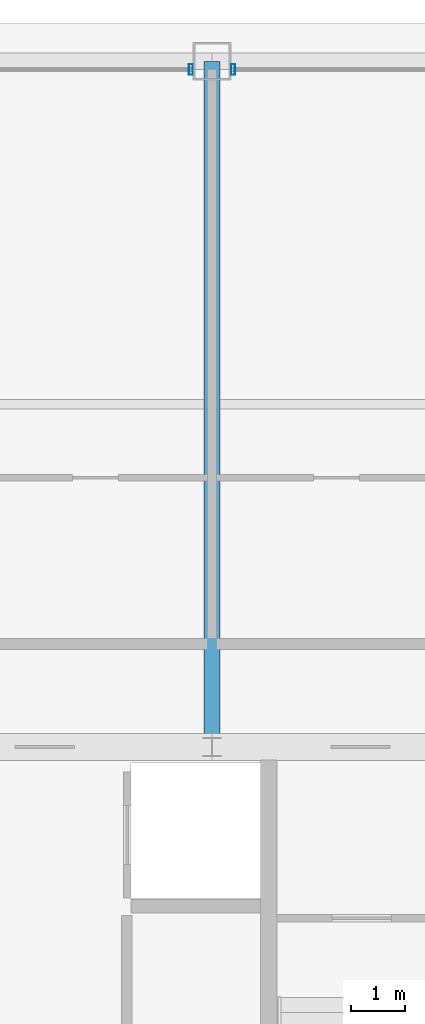
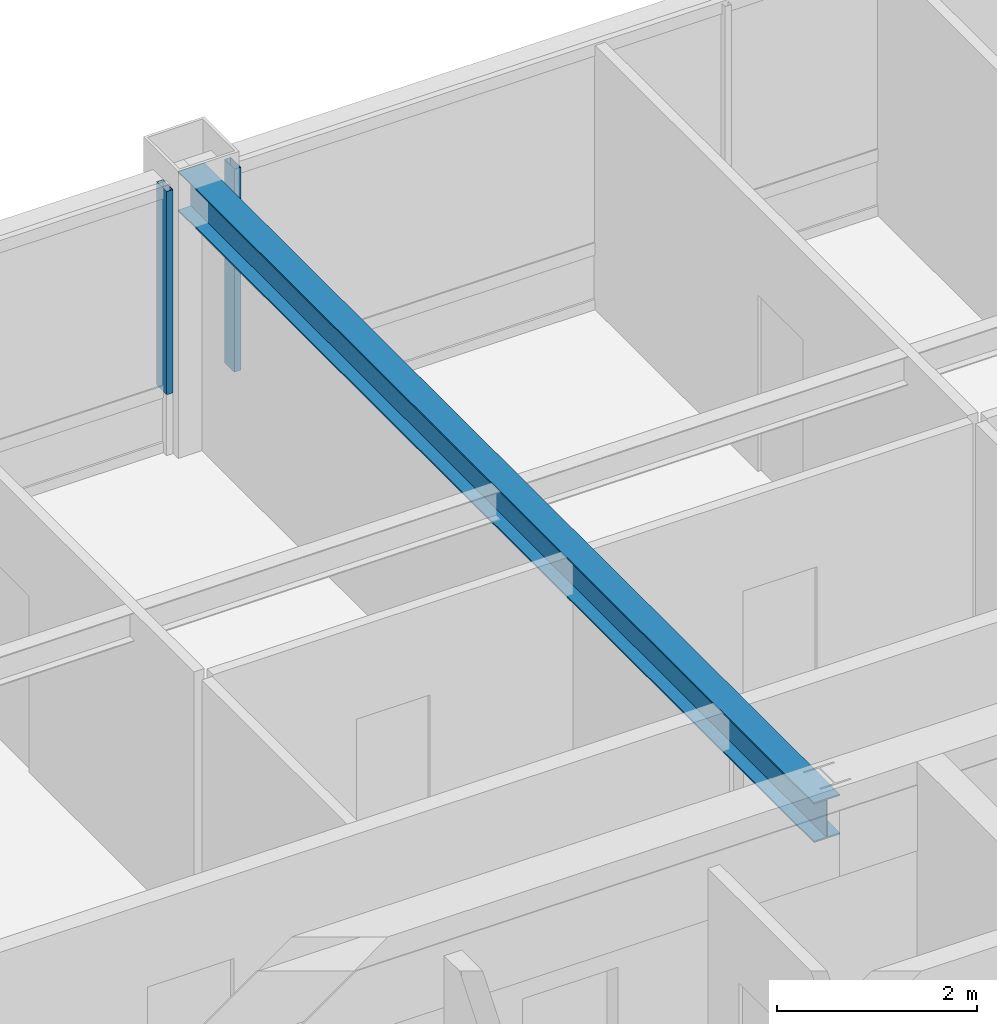
# One storey, part 18 of 35: 2 members, 1 beam, 2 elements without a shape of their own.
"""IFC4 building model written with IfcOpenShell, lengths in metres."""

from ifc_helpers import new_model, si_unit, direction, frame, origin, origin_2d, place, context, subcontext, project, spatial, hollow_rectangle, i_section, extrude, source, transform, mapped, material, layer, layer_set, material_profile, profile_set, type_object, element, aggregate, save


model = new_model("IFC4")

# Units and contexts
model_context = context("Model", 3, precision=1e-05, world=origin(), true_north=direction((0.0, 1.0)))
body_context = subcontext(model_context, "Body", "Model", "MODEL_VIEW")
ifc_project = project(units=[si_unit("LENGTHUNIT", "METRE"), si_unit("AREAUNIT", "SQUARE_METRE"), si_unit("VOLUMEUNIT", "CUBIC_METRE"), si_unit("PLANEANGLEUNIT", "RADIAN"), si_unit("MASSUNIT", "GRAM", prefix="KILO"), si_unit("THERMODYNAMICTEMPERATUREUNIT", "KELVIN"), si_unit("POWERUNIT", "WATT")], contexts=[model_context])

# Site, building, storey
site_placement = place(None, origin())
site = spatial("IfcSite", under=ifc_project, at=site_placement, CompositionType="ELEMENT")
building_placement = place(site_placement, origin())
building = spatial("IfcBuilding", under=site, at=building_placement, Name="Yuzanri Waterfront Tower", CompositionType="ELEMENT")
storey_placement = place(building_placement, frame((0.0, 0.0, 303.10009765625)))
storey = spatial("IfcBuildingStorey", under=building, at=storey_placement, Name="L81", CompositionType="ELEMENT", Elevation=303.10009765625)

# Beam
ifc_material_1 = material(Name="Steel Q355B", Category="steel")
ifc_material_profile_1 = material_profile(ifc_material_1, i_section(OverallWidth=0.300048828125, OverallDepth=0.488037109375, WebThickness=0.010986328125, FlangeThickness=0.01806640625, at=origin_2d()), Name="HM 488x300x11x18")
ifc_profile_set_1 = profile_set([ifc_material_profile_1], Name="Steel Q355B")
beam_type = type_object("IfcBeamType", Name="Primary Floor Girder Q355B HM 488x300", PredefinedType="BEAM", material=ifc_profile_set_1)
shared_shape_1 = source(origin(), body_context, "Body", "SweptSolid", [
    extrude(i_section(OverallWidth=0.300048828125, OverallDepth=0.488037109375, WebThickness=0.010986328125, FlangeThickness=0.01806640625, at=origin_2d()), origin(), (0.0, 0.0, 1.0), 12.699951171875),
])
beam_placement = place(storey_placement, frame((37.0, 32.199951171875, 2.975830078125), z_axis=(0.0, 1.0, 0.0), x_axis=(-1.0, 0.0, 0.0)))
element("IfcBeam", 1, at=beam_placement, inside=storey, type_object=beam_type, Name="L81 North Grid Girder", PredefinedType="BEAM", context=body_context, shape_type="MappedRepresentation", body=[
    mapped(shared_shape_1, transform((0.0, 0.0, 0.0), scale=1.0)),
])

# Curtain wall, member
ifc_material_2 = material(Name="Anodized Architectural Bronze", Category="metal")
ifc_layer = layer(ifc_material_2, 0.159912109375)
ifc_layer_set = layer_set([ifc_layer], Name="Anodized Architectural Bronze")
curtain_wall_type = type_object("IfcCurtainWallType", Name="Anodized Bronze High-Rise Penthouse High-Wind Unitized Curtain Wall 6900", PredefinedType="NOTDEFINED", material=ifc_layer_set)
curtain_wall_1_placement = place(storey_placement, origin())
curtain_wall_1 = element("IfcCurtainWall", 2, at=curtain_wall_1_placement, inside=storey, type_object=curtain_wall_type, Name="L81 Curtain Wall CW-L81-NL", PredefinedType="NOTDEFINED")
ifc_material_3 = material(Name="Anodized Architectural Bronze", Category="metal")
ifc_material_profile_2 = material_profile(ifc_material_3, hollow_rectangle(XDim=0.074951171875, YDim=0.199951171875, WallThickness=0.00390625, at=origin_2d()), Name="CWM 75x200")
ifc_profile_set_2 = profile_set([ifc_material_profile_2], Name="Anodized Architectural Bronze")
member_type = type_object("IfcMemberType", Name="Anodized Bronze Primary Curtain-Wall Mullion 75x200", PredefinedType="MULLION", material=ifc_profile_set_2)
shared_shape_2 = source(origin(), body_context, "Body", "SweptSolid", [
    extrude(hollow_rectangle(XDim=0.074951171875, YDim=0.199951171875, WallThickness=0.00390625, at=origin_2d()), origin(), (0.0, 0.0, 1.0), 2.47705078125),
])
member_1_placement = place(storey_placement, frame((36.610107421875, 44.75, 0.742919921875), z_axis=(0.0, 0.0, 1.0), x_axis=(1.0, 0.0, 0.0)))
member_1 = element("IfcMember", 3, at=member_1_placement, type_object=member_type, Name="CW-L81-NL Upper Mullion 02", PredefinedType="MULLION", context=body_context, shape_type="MappedRepresentation", body=[
    mapped(shared_shape_2, transform((0.0, 0.0, 0.0), scale=1.0)),
])
aggregate(curtain_wall_1, [member_1])

curtain_wall_2_placement = place(storey_placement, origin())
curtain_wall_2 = element("IfcCurtainWall", 4, at=curtain_wall_2_placement, inside=storey, type_object=curtain_wall_type, Name="L81 Curtain Wall CW-L81-NR", PredefinedType="NOTDEFINED")
member_2_placement = place(storey_placement, frame((37.389892578125, 44.75, 0.742919921875), z_axis=(0.0, 0.0, 1.0), x_axis=(1.0, 0.0, 0.0)))
member_2 = element("IfcMember", 5, at=member_2_placement, type_object=member_type, Name="CW-L81-NR Upper Mullion 00", PredefinedType="MULLION", context=body_context, shape_type="MappedRepresentation", body=[
    mapped(shared_shape_2, transform((0.0, 0.0, 0.0), scale=1.0)),
])
aggregate(curtain_wall_2, [member_2])

save(model, "model.ifc")
